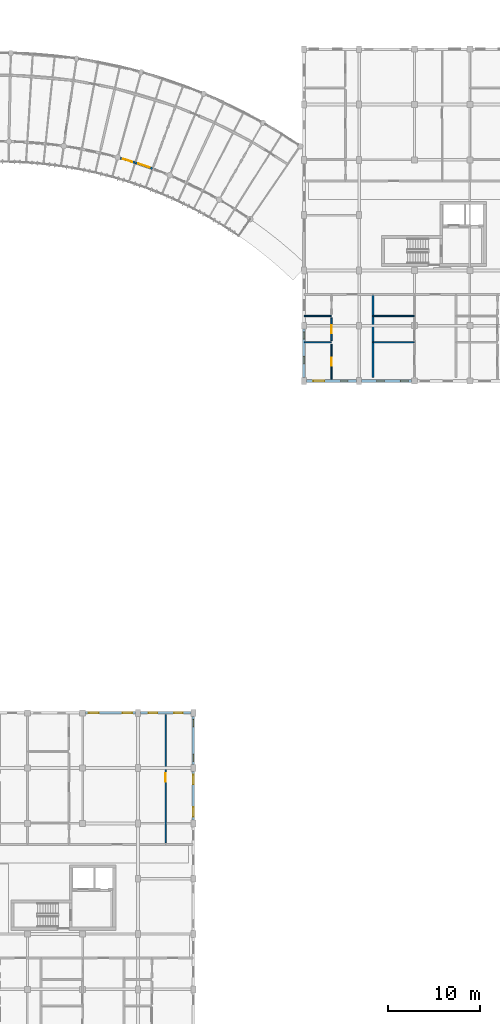
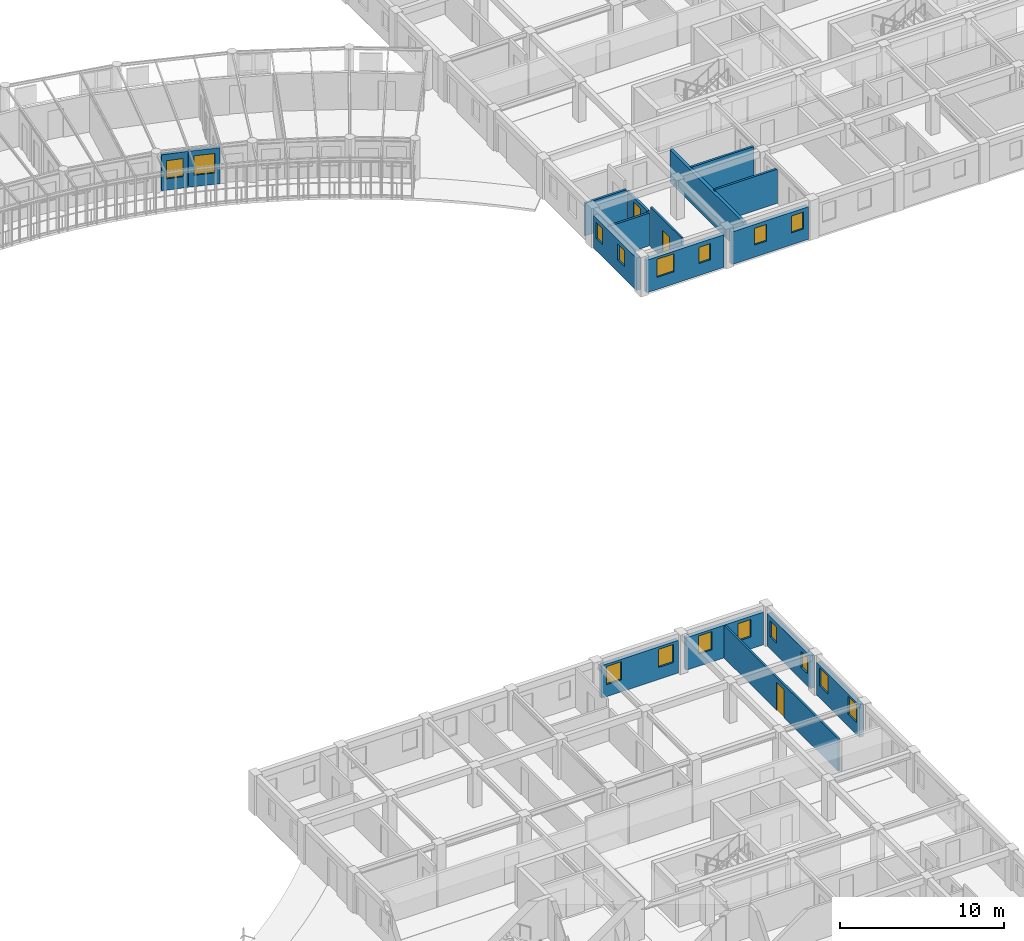
# One storey, part 76 of 100: 17 walls, 16 windows, 3 doors, 19 openings.
"""IFC4 building model written with IfcOpenShell, lengths in metres."""

from ifc_helpers import new_model, si_unit, direction, frame, frame_2d, origin, place, context, subcontext, project, spatial, rectangle, extrude, material, layer, layer_set, type_object, element, fill, save


model = new_model("IFC4")

# Units and contexts
model_context = context("Model", 3, precision=1e-05, world=origin(), true_north=direction((0.0, 1.0)))
body_context = subcontext(model_context, "Body", "Model", "MODEL_VIEW")
ifc_project = project(units=[si_unit("LENGTHUNIT", "METRE"), si_unit("AREAUNIT", "SQUARE_METRE"), si_unit("VOLUMEUNIT", "CUBIC_METRE"), si_unit("PLANEANGLEUNIT", "RADIAN"), si_unit("MASSUNIT", "GRAM", prefix="KILO"), si_unit("POWERUNIT", "WATT"), si_unit("THERMODYNAMICTEMPERATUREUNIT", "KELVIN")], contexts=[model_context])

# Site, building, storey
site_placement = place(None, origin())
site = spatial("IfcSite", under=ifc_project, at=site_placement, CompositionType="ELEMENT")
building_placement = place(site_placement, origin())
building = spatial("IfcBuilding", under=site, at=building_placement, Name="Ruvembo Vaulted Housing Court", CompositionType="ELEMENT")
storey_placement = place(building_placement, frame((0.0, 0.0, 14.10009765625)))
storey = spatial("IfcBuildingStorey", under=building, at=storey_placement, Name="L04", CompositionType="ELEMENT", Elevation=14.10009765625)

# Wall
ifc_material_1 = material(Name="Acoustic Masonry Demising 220", Category="masonry")
ifc_layer_1 = layer(ifc_material_1, 0.219970703125, Name="Acoustic Masonry Demising 220")
ifc_layer_set_1 = layer_set([ifc_layer_1], Name="Acoustic Masonry Demising 220")
wall_type_1 = type_object("IfcWallType", Name="WL-DEM-200", PredefinedType="SOLIDWALL", material=ifc_layer_set_1)
wall_1_placement = place(storey_placement, frame((157.5, 72.389892578125, 0.0), z_axis=(0.0, 0.0, 1.0), x_axis=(0.0, 1.0, 0.0)))
element("IfcWall", 1, at=wall_1_placement, inside=storey, type_object=wall_type_1, Name="L04 Demising D-L04-S1 WL-INT-L04-01237", PredefinedType="SOLIDWALL", context=body_context, shape_type="SweptSolid", body=[
    extrude(rectangle(XDim=8.97021484375, YDim=0.219970703125, at=frame_2d((4.485107421875, 0.0))), origin(), (0.0, 0.0, 1.0), 2.431884765625),
])

# Wall, opening, window
ifc_material_2 = material(Name="Rendered Masonry 235", Category="masonry")
ifc_layer_2 = layer(ifc_material_2, 0.235107421875, Name="Rendered Masonry 235")
ifc_layer_set_2 = layer_set([ifc_layer_2], Name="Rendered Masonry 235")
wall_type_2 = type_object("IfcWallType", Name="WL-EXT-235", PredefinedType="STANDARD", material=ifc_layer_set_2)
wall_2_placement = place(storey_placement, frame((130.08203125, 96.177490234375, 0.0), z_axis=(0.0, 0.0, 1.0), x_axis=(0.958063008465, -0.286557623894, 0.0)))
wall_2 = element("IfcWall", 2, at=wall_2_placement, inside=storey, type_object=wall_type_2, Name="Scoop SC3 L04 Concave Balcony Wall 21", PredefinedType="STANDARD", context=body_context, shape_type="SweptSolid", body=[
    extrude(rectangle(XDim=1.67236328125, YDim=0.235107421875, at=frame_2d((0.836181640625, 0.0))), origin(), (0.0, 0.0, 1.0), 2.683837890625),
])
opening_1_placement = place(wall_2_placement, frame((0.311279296875, 0.0, 0.85009765625)))
opening_1 = element("IfcOpeningElement", 3, at=opening_1_placement, cuts=wall_2, Name="Opening W09", PredefinedType="OPENING", context=body_context, shape_type="SweptSolid", body=[
    extrude(rectangle(XDim=1.050048828125, YDim=1.35009765625, at=frame_2d((0.52490234375, 0.675048828125))), frame((0.0, 0.12744140625, 0.0), z_axis=(0.0, -1.0, 0.0), x_axis=(1.0, 0.0, 0.0)), (0.0, 0.0, 1.0), 0.255126953125),
])
ifc_material_3 = material(Name="Double Solar-Control Glazing in Aluminium Frame", Category="aluminium")
window_type_1 = type_object("IfcWindowType", Name="WIN-1050x1350", PartitioningType="SINGLE_PANEL", PredefinedType="WINDOW", material=ifc_material_3)
window_1_placement = place(opening_1_placement, origin())
window_1 = element("IfcWindow", 4, at=window_1_placement, inside=storey, type_object=window_type_1, Name="Scoop SC3 L04 Concave Window 21", OverallHeight=1.35009765625, OverallWidth=1.050048828125, PartitioningType="SINGLE_PANEL", PredefinedType="WINDOW", context=body_context, shape_type="SweptSolid", body=[
    extrude(rectangle(XDim=1.050048828125, YDim=1.35009765625, at=frame_2d((0.52490234375, 0.675048828125))), frame((0.0, 0.030029296875, 0.0), z_axis=(0.0, -1.0, 0.0), x_axis=(1.0, 0.0, 0.0)), (0.0, 0.0, 1.0), 0.06005859375),
])
fill(opening_1, window_1)

wall_3_placement = place(storey_placement, frame((131.722412109375, 95.68603515625, 0.0), z_axis=(0.0, 0.0, 1.0), x_axis=(0.945368994877, -0.326002244662, 0.0)))
wall_3 = element("IfcWall", 5, at=wall_3_placement, inside=storey, type_object=wall_type_2, Name="Scoop SC3 L04 Concave Balcony Wall 22", PredefinedType="STANDARD", context=body_context, shape_type="SweptSolid", body=[
    extrude(rectangle(XDim=1.952392578125, YDim=0.235107421875, at=frame_2d((0.97607421875, 0.0))), origin(), (0.0, 0.0, 1.0), 2.683837890625),
])
opening_2_placement = place(wall_3_placement, frame((0.326171875, 0.0, 0.85009765625)))
opening_2 = element("IfcOpeningElement", 6, at=opening_2_placement, cuts=wall_3, Name="Opening W15", PredefinedType="OPENING", context=body_context, shape_type="SweptSolid", body=[
    extrude(rectangle(XDim=1.300048828125, YDim=1.449951171875, at=frame_2d((0.64990234375, 0.72509765625))), frame((0.0, 0.12744140625, 0.0), z_axis=(0.0, -1.0, 0.0), x_axis=(1.0, 0.0, 0.0)), (0.0, 0.0, 1.0), 0.255126953125),
])
window_type_2 = type_object("IfcWindowType", Name="WIN-1300x1450", PartitioningType="SINGLE_PANEL", PredefinedType="WINDOW", material=ifc_material_3)
window_2_placement = place(opening_2_placement, origin())
window_2 = element("IfcWindow", 7, at=window_2_placement, inside=storey, type_object=window_type_2, Name="Scoop SC3 L04 Concave Window 22", OverallHeight=1.449951171875, OverallWidth=1.300048828125, PartitioningType="SINGLE_PANEL", PredefinedType="WINDOW", context=body_context, shape_type="SweptSolid", body=[
    extrude(rectangle(XDim=1.300048828125, YDim=1.449951171875, at=frame_2d((0.64990234375, 0.72509765625))), frame((0.0, 0.030029296875, 0.0), z_axis=(0.0, -1.0, 0.0), x_axis=(1.0, 0.0, 0.0)), (0.0, 0.0, 1.0), 0.06005859375),
])
fill(opening_2, window_2)

# Wall, openings, windows
ifc_material_4 = material(Name="Rendered Masonry 285", Category="masonry")
ifc_layer_3 = layer(ifc_material_4, 0.284912109375, Name="Rendered Masonry 285")
ifc_layer_set_3 = layer_set([ifc_layer_3], Name="Rendered Masonry 285")
wall_type_3 = type_object("IfcWallType", Name="WL-EXT-285", PredefinedType="STANDARD", material=ifc_layer_set_3)
wall_4_placement = place(storey_placement, frame((138.0, 24.375, 0.0), z_axis=(0.0, 0.0, 1.0), x_axis=(0.0, 1.0, 0.0)))
wall_4 = element("IfcWall", 8, at=wall_4_placement, inside=storey, type_object=wall_type_3, Name="Block C L04 Exterior Wall EAST #5", PredefinedType="STANDARD", context=body_context, shape_type="SweptSolid", body=[
    extrude(rectangle(XDim=5.25, YDim=0.284912109375, at=frame_2d((2.625, 0.0))), origin(), (0.0, 0.0, 1.0), 2.431884765625),
])
opening_3_placement = place(wall_4_placement, frame((0.35009765625, 0.0, 0.89990234375)))
opening_3 = element("IfcOpeningElement", 9, at=opening_3_placement, cuts=wall_4, Name="Opening W09", PredefinedType="OPENING", context=body_context, shape_type="SweptSolid", body=[
    extrude(rectangle(XDim=1.050048828125, YDim=1.35009765625, at=frame_2d((0.52490234375, 0.675048828125))), frame((0.0, 0.15234375, 0.0), z_axis=(0.0, -1.0, 0.0), x_axis=(1.0, 0.0, 0.0)), (0.0, 0.0, 1.0), 0.304931640625),
])
opening_4_placement = place(wall_4_placement, frame((3.85009765625, 0.0, 0.89990234375)))
opening_4 = element("IfcOpeningElement", 10, at=opening_4_placement, cuts=wall_4, Name="Opening W09", PredefinedType="OPENING", context=body_context, shape_type="SweptSolid", body=[
    extrude(rectangle(XDim=1.050048828125, YDim=1.35009765625, at=frame_2d((0.52490234375, 0.675048828125))), frame((0.0, 0.15234375, 0.0), z_axis=(0.0, -1.0, 0.0), x_axis=(1.0, 0.0, 0.0)), (0.0, 0.0, 1.0), 0.304931640625),
])
window_3_placement = place(opening_3_placement, origin())
window_3 = element("IfcWindow", 11, at=window_3_placement, inside=storey, type_object=window_type_1, Name="Block C L04 Window #1258", OverallHeight=1.35009765625, OverallWidth=1.050048828125, PartitioningType="SINGLE_PANEL", PredefinedType="WINDOW", context=body_context, shape_type="SweptSolid", body=[
    extrude(rectangle(XDim=1.050048828125, YDim=1.35009765625, at=frame_2d((0.52490234375, 0.675048828125))), frame((0.0, 0.030029296875, 0.0), z_axis=(0.0, -1.0, 0.0), x_axis=(1.0, 0.0, 0.0)), (0.0, 0.0, 1.0), 0.06005859375),
])
fill(opening_3, window_3)
window_4_placement = place(opening_4_placement, origin())
window_4 = element("IfcWindow", 12, at=window_4_placement, inside=storey, type_object=window_type_1, Name="Block C L04 Window #1259", OverallHeight=1.35009765625, OverallWidth=1.050048828125, PartitioningType="SINGLE_PANEL", PredefinedType="WINDOW", context=body_context, shape_type="SweptSolid", body=[
    extrude(rectangle(XDim=1.050048828125, YDim=1.35009765625, at=frame_2d((0.52490234375, 0.675048828125))), frame((0.0, 0.030029296875, 0.0), z_axis=(0.0, -1.0, 0.0), x_axis=(1.0, 0.0, 0.0)), (0.0, 0.0, 1.0), 0.06005859375),
])
fill(opening_4, window_4)

wall_5_placement = place(storey_placement, frame((138.0, 30.375, 0.0), z_axis=(0.0, 0.0, 1.0), x_axis=(0.0, 1.0, 0.0)))
wall_5 = element("IfcWall", 13, at=wall_5_placement, inside=storey, type_object=wall_type_3, Name="Block C L04 Exterior Wall EAST #6", PredefinedType="STANDARD", context=body_context, shape_type="SweptSolid", body=[
    extrude(rectangle(XDim=5.25, YDim=0.284912109375, at=frame_2d((2.625, 0.0))), origin(), (0.0, 0.0, 1.0), 2.431884765625),
])
opening_5_placement = place(wall_5_placement, frame((0.35009765625, 0.0, 0.89990234375)))
opening_5 = element("IfcOpeningElement", 14, at=opening_5_placement, cuts=wall_5, Name="Opening W02", PredefinedType="OPENING", context=body_context, shape_type="SweptSolid", body=[
    extrude(rectangle(XDim=0.800048828125, YDim=1.199951171875, at=frame_2d((0.39990234375, 0.60009765625))), frame((0.0, 0.15234375, 0.0), z_axis=(0.0, -1.0, 0.0), x_axis=(1.0, 0.0, 0.0)), (0.0, 0.0, 1.0), 0.304931640625),
])
opening_6_placement = place(wall_5_placement, frame((4.10009765625, 0.0, 0.89990234375)))
opening_6 = element("IfcOpeningElement", 15, at=opening_6_placement, cuts=wall_5, Name="Opening W02", PredefinedType="OPENING", context=body_context, shape_type="SweptSolid", body=[
    extrude(rectangle(XDim=0.800048828125, YDim=1.199951171875, at=frame_2d((0.39990234375, 0.60009765625))), frame((0.0, 0.15234375, 0.0), z_axis=(0.0, -1.0, 0.0), x_axis=(1.0, 0.0, 0.0)), (0.0, 0.0, 1.0), 0.304931640625),
])
window_type_3 = type_object("IfcWindowType", Name="WIN-0800x1200", PartitioningType="SINGLE_PANEL", PredefinedType="WINDOW", material=ifc_material_3)
window_5_placement = place(opening_5_placement, origin())
window_5 = element("IfcWindow", 16, at=window_5_placement, inside=storey, type_object=window_type_3, Name="Block C L04 Window #1260", OverallHeight=1.199951171875, OverallWidth=0.800048828125, PartitioningType="SINGLE_PANEL", PredefinedType="WINDOW", context=body_context, shape_type="SweptSolid", body=[
    extrude(rectangle(XDim=0.800048828125, YDim=1.199951171875, at=frame_2d((0.39990234375, 0.60009765625))), frame((0.0, 0.030029296875, 0.0), z_axis=(0.0, -1.0, 0.0), x_axis=(1.0, 0.0, 0.0)), (0.0, 0.0, 1.0), 0.06005859375),
])
fill(opening_5, window_5)
window_6_placement = place(opening_6_placement, origin())
window_6 = element("IfcWindow", 17, at=window_6_placement, inside=storey, type_object=window_type_3, Name="Block C L04 Window #1261", OverallHeight=1.199951171875, OverallWidth=0.800048828125, PartitioningType="SINGLE_PANEL", PredefinedType="WINDOW", context=body_context, shape_type="SweptSolid", body=[
    extrude(rectangle(XDim=0.800048828125, YDim=1.199951171875, at=frame_2d((0.39990234375, 0.60009765625))), frame((0.0, 0.030029296875, 0.0), z_axis=(0.0, -1.0, 0.0), x_axis=(1.0, 0.0, 0.0)), (0.0, 0.0, 1.0), 0.06005859375),
])
fill(opening_6, window_6)

wall_6_placement = place(storey_placement, frame((137.72509765625, 36.0, 0.0), z_axis=(0.0, 0.0, 1.0), x_axis=(-1.0, 0.0, 0.0)))
wall_6 = element("IfcWall", 18, at=wall_6_placement, inside=storey, type_object=wall_type_3, Name="Block C L04 Exterior Wall COURTYARD #1", PredefinedType="STANDARD", context=body_context, shape_type="SweptSolid", body=[
    extrude(rectangle(XDim=5.4501953125, YDim=0.284912109375, at=frame_2d((2.72509765625, 0.0))), origin(), (0.0, 0.0, 1.0), 2.431884765625),
])
opening_7_placement = place(wall_6_placement, frame((0.892578125, 0.0, 0.89990234375)))
opening_7 = element("IfcOpeningElement", 19, at=opening_7_placement, cuts=wall_6, Name="Opening W04", PredefinedType="OPENING", context=body_context, shape_type="SweptSolid", body=[
    extrude(rectangle(XDim=0.89990234375, YDim=1.300048828125, at=frame_2d((0.449951171875, 0.64990234375))), frame((0.0, 0.15234375, 0.0), z_axis=(0.0, -1.0, 0.0), x_axis=(1.0, 0.0, 0.0)), (0.0, 0.0, 1.0), 0.304931640625),
])
opening_8_placement = place(wall_6_placement, frame((3.632568359375, 0.0, 0.89990234375)))
opening_8 = element("IfcOpeningElement", 20, at=opening_8_placement, cuts=wall_6, Name="Opening W07", PredefinedType="OPENING", context=body_context, shape_type="SweptSolid", body=[
    extrude(rectangle(XDim=0.949951171875, YDim=1.35009765625, at=frame_2d((0.47509765625, 0.675048828125))), frame((0.0, 0.15234375, 0.0), z_axis=(0.0, -1.0, 0.0), x_axis=(1.0, 0.0, 0.0)), (0.0, 0.0, 1.0), 0.304931640625),
])
window_type_4 = type_object("IfcWindowType", Name="WIN-0900x1300", PartitioningType="SINGLE_PANEL", PredefinedType="WINDOW", material=ifc_material_3)
window_7_placement = place(opening_7_placement, origin())
window_7 = element("IfcWindow", 21, at=window_7_placement, inside=storey, type_object=window_type_4, Name="Block C L04 Window #1262", OverallHeight=1.300048828125, OverallWidth=0.89990234375, PartitioningType="SINGLE_PANEL", PredefinedType="WINDOW", context=body_context, shape_type="SweptSolid", body=[
    extrude(rectangle(XDim=0.89990234375, YDim=1.300048828125, at=frame_2d((0.449951171875, 0.64990234375))), frame((0.0, 0.030029296875, 0.0), z_axis=(0.0, -1.0, 0.0), x_axis=(1.0, 0.0, 0.0)), (0.0, 0.0, 1.0), 0.06005859375),
])
fill(opening_7, window_7)
window_type_5 = type_object("IfcWindowType", Name="WIN-0950x1350", PartitioningType="SINGLE_PANEL", PredefinedType="WINDOW", material=ifc_material_3)
window_8_placement = place(opening_8_placement, origin())
window_8 = element("IfcWindow", 22, at=window_8_placement, inside=storey, type_object=window_type_5, Name="Block C L04 Window #1263", OverallHeight=1.35009765625, OverallWidth=0.949951171875, PartitioningType="SINGLE_PANEL", PredefinedType="WINDOW", context=body_context, shape_type="SweptSolid", body=[
    extrude(rectangle(XDim=0.949951171875, YDim=1.35009765625, at=frame_2d((0.47509765625, 0.675048828125))), frame((0.0, 0.030029296875, 0.0), z_axis=(0.0, -1.0, 0.0), x_axis=(1.0, 0.0, 0.0)), (0.0, 0.0, 1.0), 0.06005859375),
])
fill(opening_8, window_8)

wall_7_placement = place(storey_placement, frame((131.72509765625, 36.0, 0.0), z_axis=(0.0, 0.0, 1.0), x_axis=(-1.0, 0.0, 0.0)))
wall_7 = element("IfcWall", 23, at=wall_7_placement, inside=storey, type_object=wall_type_3, Name="Block C L04 Exterior Wall COURTYARD #2", PredefinedType="STANDARD", context=body_context, shape_type="SweptSolid", body=[
    extrude(rectangle(XDim=5.400146484375, YDim=0.284912109375, at=frame_2d((2.7001953125, 0.0))), origin(), (0.0, 0.0, 1.0), 2.431884765625),
])
opening_9_placement = place(wall_7_placement, frame((0.35009765625, 0.0, 0.89990234375)))
opening_9 = element("IfcOpeningElement", 24, at=opening_9_placement, cuts=wall_7, Name="Opening W09", PredefinedType="OPENING", context=body_context, shape_type="SweptSolid", body=[
    extrude(rectangle(XDim=1.050048828125, YDim=1.35009765625, at=frame_2d((0.52490234375, 0.675048828125))), frame((0.0, 0.15234375, 0.0), z_axis=(0.0, -1.0, 0.0), x_axis=(1.0, 0.0, 0.0)), (0.0, 0.0, 1.0), 0.304931640625),
])
opening_10_placement = place(wall_7_placement, frame((4.0, 0.0, 0.89990234375)))
opening_10 = element("IfcOpeningElement", 25, at=opening_10_placement, cuts=wall_7, Name="Opening W09", PredefinedType="OPENING", context=body_context, shape_type="SweptSolid", body=[
    extrude(rectangle(XDim=1.050048828125, YDim=1.35009765625, at=frame_2d((0.52490234375, 0.675048828125))), frame((0.0, 0.15234375, 0.0), z_axis=(0.0, -1.0, 0.0), x_axis=(1.0, 0.0, 0.0)), (0.0, 0.0, 1.0), 0.304931640625),
])
window_9_placement = place(opening_9_placement, origin())
window_9 = element("IfcWindow", 26, at=window_9_placement, inside=storey, type_object=window_type_1, Name="Block C L04 Window #1264", OverallHeight=1.35009765625, OverallWidth=1.050048828125, PartitioningType="SINGLE_PANEL", PredefinedType="WINDOW", context=body_context, shape_type="SweptSolid", body=[
    extrude(rectangle(XDim=1.050048828125, YDim=1.35009765625, at=frame_2d((0.52490234375, 0.675048828125))), frame((0.0, 0.030029296875, 0.0), z_axis=(0.0, -1.0, 0.0), x_axis=(1.0, 0.0, 0.0)), (0.0, 0.0, 1.0), 0.06005859375),
])
fill(opening_9, window_9)
window_10_placement = place(opening_10_placement, origin())
window_10 = element("IfcWindow", 27, at=window_10_placement, inside=storey, type_object=window_type_1, Name="Block C L04 Window #1265", OverallHeight=1.35009765625, OverallWidth=1.050048828125, PartitioningType="SINGLE_PANEL", PredefinedType="WINDOW", context=body_context, shape_type="SweptSolid", body=[
    extrude(rectangle(XDim=1.050048828125, YDim=1.35009765625, at=frame_2d((0.52490234375, 0.675048828125))), frame((0.0, 0.030029296875, 0.0), z_axis=(0.0, -1.0, 0.0), x_axis=(1.0, 0.0, 0.0)), (0.0, 0.0, 1.0), 0.06005859375),
])
fill(opening_10, window_10)

wall_8_placement = place(storey_placement, frame((150.27490234375, 72.0, 0.0), z_axis=(0.0, 0.0, 1.0), x_axis=(1.0, 0.0, 0.0)))
wall_8 = element("IfcWall", 28, at=wall_8_placement, inside=storey, type_object=wall_type_3, Name="Block D L04 Exterior Wall COURTYARD #1", PredefinedType="STANDARD", context=body_context, shape_type="SweptSolid", body=[
    extrude(rectangle(XDim=5.4501953125, YDim=0.284912109375, at=frame_2d((2.72509765625, 0.0))), origin(), (0.0, 0.0, 1.0), 2.431884765625),
])
opening_11_placement = place(wall_8_placement, frame((0.742431640625, 0.0, 0.89990234375)))
opening_11 = element("IfcOpeningElement", 29, at=opening_11_placement, cuts=wall_8, Name="Opening W12", PredefinedType="OPENING", context=body_context, shape_type="SweptSolid", body=[
    extrude(rectangle(XDim=1.199951171875, YDim=1.35009765625, at=frame_2d((0.60009765625, 0.675048828125))), frame((0.0, 0.15234375, 0.0), z_axis=(0.0, -1.0, 0.0), x_axis=(1.0, 0.0, 0.0)), (0.0, 0.0, 1.0), 0.304931640625),
])
opening_12_placement = place(wall_8_placement, frame((3.70751953125, 0.0, 0.89990234375)))
opening_12 = element("IfcOpeningElement", 30, at=opening_12_placement, cuts=wall_8, Name="Opening W02", PredefinedType="OPENING", context=body_context, shape_type="SweptSolid", body=[
    extrude(rectangle(XDim=0.800048828125, YDim=1.199951171875, at=frame_2d((0.39990234375, 0.60009765625))), frame((0.0, 0.15234375, 0.0), z_axis=(0.0, -1.0, 0.0), x_axis=(1.0, 0.0, 0.0)), (0.0, 0.0, 1.0), 0.304931640625),
])
window_11_placement = place(opening_12_placement, origin())
window_11 = element("IfcWindow", 31, at=window_11_placement, inside=storey, type_object=window_type_3, Name="Block D L04 Window #1620", OverallHeight=1.199951171875, OverallWidth=0.800048828125, PartitioningType="SINGLE_PANEL", PredefinedType="WINDOW", context=body_context, shape_type="SweptSolid", body=[
    extrude(rectangle(XDim=0.800048828125, YDim=1.199951171875, at=frame_2d((0.39990234375, 0.60009765625))), frame((0.0, 0.030029296875, 0.0), z_axis=(0.0, -1.0, 0.0), x_axis=(1.0, 0.0, 0.0)), (0.0, 0.0, 1.0), 0.06005859375),
])
fill(opening_12, window_11)
window_type_6 = type_object("IfcWindowType", Name="WIN-1200x1350", PartitioningType="SINGLE_PANEL", PredefinedType="WINDOW", material=ifc_material_3)
window_12_placement = place(opening_11_placement, origin())
window_12 = element("IfcWindow", 32, at=window_12_placement, inside=storey, type_object=window_type_6, Name="Block D L04 Window #1619", OverallHeight=1.35009765625, OverallWidth=1.199951171875, PartitioningType="SINGLE_PANEL", PredefinedType="WINDOW", context=body_context, shape_type="SweptSolid", body=[
    extrude(rectangle(XDim=1.199951171875, YDim=1.35009765625, at=frame_2d((0.60009765625, 0.675048828125))), frame((0.0, 0.030029296875, 0.0), z_axis=(0.0, -1.0, 0.0), x_axis=(1.0, 0.0, 0.0)), (0.0, 0.0, 1.0), 0.06005859375),
])
fill(opening_11, window_12)

wall_9_placement = place(storey_placement, frame((156.27490234375, 72.0, 0.0), z_axis=(0.0, 0.0, 1.0), x_axis=(1.0, 0.0, 0.0)))
wall_9 = element("IfcWall", 33, at=wall_9_placement, inside=storey, type_object=wall_type_3, Name="Block D L04 Exterior Wall COURTYARD #2", PredefinedType="STANDARD", context=body_context, shape_type="SweptSolid", body=[
    extrude(rectangle(XDim=5.400146484375, YDim=0.284912109375, at=frame_2d((2.7001953125, 0.0))), origin(), (0.0, 0.0, 1.0), 2.431884765625),
])
opening_13_placement = place(wall_9_placement, frame((1.614990234375, 0.0, 0.89990234375)))
opening_13 = element("IfcOpeningElement", 34, at=opening_13_placement, cuts=wall_9, Name="Opening W03", PredefinedType="OPENING", context=body_context, shape_type="SweptSolid", body=[
    extrude(rectangle(XDim=0.85009765625, YDim=1.25, at=frame_2d((0.425048828125, 0.625))), frame((0.0, 0.15234375, 0.0), z_axis=(0.0, -1.0, 0.0), x_axis=(1.0, 0.0, 0.0)), (0.0, 0.0, 1.0), 0.304931640625),
])
opening_14_placement = place(wall_9_placement, frame((4.199951171875, 0.0, 0.89990234375)))
opening_14 = element("IfcOpeningElement", 35, at=opening_14_placement, cuts=wall_9, Name="Opening W03", PredefinedType="OPENING", context=body_context, shape_type="SweptSolid", body=[
    extrude(rectangle(XDim=0.85009765625, YDim=1.25, at=frame_2d((0.425048828125, 0.625))), frame((0.0, 0.15234375, 0.0), z_axis=(0.0, -1.0, 0.0), x_axis=(1.0, 0.0, 0.0)), (0.0, 0.0, 1.0), 0.304931640625),
])
window_type_7 = type_object("IfcWindowType", Name="WIN-0850x1250", PartitioningType="SINGLE_PANEL", PredefinedType="WINDOW", material=ifc_material_3)
window_13_placement = place(opening_13_placement, origin())
window_13 = element("IfcWindow", 36, at=window_13_placement, inside=storey, type_object=window_type_7, Name="Block D L04 Window #1621", OverallHeight=1.25, OverallWidth=0.85009765625, PartitioningType="SINGLE_PANEL", PredefinedType="WINDOW", context=body_context, shape_type="SweptSolid", body=[
    extrude(rectangle(XDim=0.85009765625, YDim=1.25, at=frame_2d((0.425048828125, 0.625))), frame((0.0, 0.030029296875, 0.0), z_axis=(0.0, -1.0, 0.0), x_axis=(1.0, 0.0, 0.0)), (0.0, 0.0, 1.0), 0.06005859375),
])
fill(opening_13, window_13)
window_14_placement = place(opening_14_placement, origin())
window_14 = element("IfcWindow", 37, at=window_14_placement, inside=storey, type_object=window_type_7, Name="Block D L04 Window #1622", OverallHeight=1.25, OverallWidth=0.85009765625, PartitioningType="SINGLE_PANEL", PredefinedType="WINDOW", context=body_context, shape_type="SweptSolid", body=[
    extrude(rectangle(XDim=0.85009765625, YDim=1.25, at=frame_2d((0.425048828125, 0.625))), frame((0.0, 0.030029296875, 0.0), z_axis=(0.0, -1.0, 0.0), x_axis=(1.0, 0.0, 0.0)), (0.0, 0.0, 1.0), 0.06005859375),
])
fill(opening_14, window_14)

wall_10_placement = place(storey_placement, frame((150.0, 77.625, 0.0), z_axis=(0.0, 0.0, 1.0), x_axis=(0.0, -1.0, 0.0)))
wall_10 = element("IfcWall", 38, at=wall_10_placement, inside=storey, type_object=wall_type_3, Name="Block D L04 Exterior Wall WEST #6", PredefinedType="STANDARD", context=body_context, shape_type="SweptSolid", body=[
    extrude(rectangle(XDim=5.25, YDim=0.284912109375, at=frame_2d((2.625, 0.0))), origin(), (0.0, 0.0, 1.0), 2.431884765625),
])
opening_15_placement = place(wall_10_placement, frame((0.29248046875, 0.0, 0.89990234375)))
opening_15 = element("IfcOpeningElement", 39, at=opening_15_placement, cuts=wall_10, Name="Opening W02", PredefinedType="OPENING", context=body_context, shape_type="SweptSolid", body=[
    extrude(rectangle(XDim=0.800048828125, YDim=1.199951171875, at=frame_2d((0.39990234375, 0.60009765625))), frame((0.0, 0.15234375, 0.0), z_axis=(0.0, -1.0, 0.0), x_axis=(1.0, 0.0, 0.0)), (0.0, 0.0, 1.0), 0.304931640625),
])
opening_16_placement = place(wall_10_placement, frame((2.95751953125, 0.0, 0.89990234375)))
opening_16 = element("IfcOpeningElement", 40, at=opening_16_placement, cuts=wall_10, Name="Opening W02", PredefinedType="OPENING", context=body_context, shape_type="SweptSolid", body=[
    extrude(rectangle(XDim=0.800048828125, YDim=1.199951171875, at=frame_2d((0.39990234375, 0.60009765625))), frame((0.0, 0.15234375, 0.0), z_axis=(0.0, -1.0, 0.0), x_axis=(1.0, 0.0, 0.0)), (0.0, 0.0, 1.0), 0.304931640625),
])
window_15_placement = place(opening_15_placement, origin())
window_15 = element("IfcWindow", 41, at=window_15_placement, inside=storey, type_object=window_type_3, Name="Block D L04 Window #1661", OverallHeight=1.199951171875, OverallWidth=0.800048828125, PartitioningType="SINGLE_PANEL", PredefinedType="WINDOW", context=body_context, shape_type="SweptSolid", body=[
    extrude(rectangle(XDim=0.800048828125, YDim=1.199951171875, at=frame_2d((0.39990234375, 0.60009765625))), frame((0.0, 0.030029296875, 0.0), z_axis=(0.0, -1.0, 0.0), x_axis=(1.0, 0.0, 0.0)), (0.0, 0.0, 1.0), 0.06005859375),
])
fill(opening_15, window_15)
window_16_placement = place(opening_16_placement, origin())
window_16 = element("IfcWindow", 42, at=window_16_placement, inside=storey, type_object=window_type_3, Name="Block D L04 Window #1662", OverallHeight=1.199951171875, OverallWidth=0.800048828125, PartitioningType="SINGLE_PANEL", PredefinedType="WINDOW", context=body_context, shape_type="SweptSolid", body=[
    extrude(rectangle(XDim=0.800048828125, YDim=1.199951171875, at=frame_2d((0.39990234375, 0.60009765625))), frame((0.0, 0.030029296875, 0.0), z_axis=(0.0, -1.0, 0.0), x_axis=(1.0, 0.0, 0.0)), (0.0, 0.0, 1.0), 0.06005859375),
])
fill(opening_16, window_16)

# Wall, opening, door
ifc_material_5 = material(Name="Plasterboard Stud Partition 125", Category="gypsum")
ifc_layer_4 = layer(ifc_material_5, 0.125, Name="Plasterboard Stud Partition 125")
ifc_layer_set_4 = layer_set([ifc_layer_4], Name="Plasterboard Stud Partition 125")
wall_type_4 = type_object("IfcWallType", Name="WL-PART-125", PredefinedType="PARTITIONING", material=ifc_layer_set_4)
wall_11_placement = place(storey_placement, frame((153.0, 72.18994140625, 0.0), z_axis=(0.0, 0.0, 1.0), x_axis=(0.0, 1.0, 0.0)))
wall_11 = element("IfcWall", 43, at=wall_11_placement, inside=storey, type_object=wall_type_4, Name="L04 Flat D-L04-S1 Bedroom 1 WL-INT-L04-01240", PredefinedType="PARTITIONING", context=body_context, shape_type="SweptSolid", body=[
    extrude(rectangle(XDim=3.820068359375, YDim=0.125, at=frame_2d((1.91015625, 0.0))), origin(), (0.0, 0.0, 1.0), 2.949951171875),
])
opening_17_placement = place(wall_11_placement, frame((1.469970703125, 0.0, 0.0)))
opening_17 = element("IfcOpeningElement", 44, at=opening_17_placement, cuts=wall_11, Name="Opening ID3", PredefinedType="OPENING", context=body_context, shape_type="SweptSolid", body=[
    extrude(rectangle(XDim=0.8798828125, YDim=2.10009765625, at=frame_2d((0.43994140625, 1.050048828125))), frame((0.0, 0.072509765625, 0.0), z_axis=(0.0, -1.0, 0.0), x_axis=(1.0, 0.0, 0.0)), (0.0, 0.0, 1.0), 0.14501953125),
])
ifc_material_6 = material(Name="FSC Hardwood and Engineered Timber", Category="wood")
door_type_1 = type_object("IfcDoorType", Name="DR-ROOM-0880x2100", OperationType="NOTDEFINED", PredefinedType="DOOR", material=ifc_material_6)
door_1_placement = place(opening_17_placement, origin())
door_1 = element("IfcDoor", 45, at=door_1_placement, inside=storey, type_object=door_type_1, Name="L04 Flat D-L04-S1 Bedroom 1 Door DR-INT-L04-00691", OperationType="SINGLE_SWING_LEFT", OverallHeight=2.10009765625, OverallWidth=0.8798828125, PredefinedType="DOOR", context=body_context, shape_type="SweptSolid", body=[
    extrude(rectangle(XDim=0.8798828125, YDim=2.10009765625, at=frame_2d((0.43994140625, 1.050048828125))), frame((0.0, 0.02490234375, 0.0), z_axis=(0.0, -1.0, 0.0), x_axis=(1.0, 0.0, 0.0)), (0.0, 0.0, 1.0), 0.050048828125),
])
fill(opening_17, door_1)

ifc_material_7 = material(Name="Acoustic Stud Partition 135", Category="gypsum")
ifc_layer_5 = layer(ifc_material_7, 0.135009765625, Name="Acoustic Stud Partition 135")
ifc_layer_set_5 = layer_set([ifc_layer_5], Name="Acoustic Stud Partition 135")
wall_type_5 = type_object("IfcWallType", Name="WL-PART-135", PredefinedType="PARTITIONING", material=ifc_layer_set_5)
wall_12_placement = place(storey_placement, frame((135.0, 21.889892578125, 0.0), z_axis=(0.0, 0.0, 1.0), x_axis=(0.0, 1.0, 0.0)))
wall_12 = element("IfcWall", 46, at=wall_12_placement, inside=storey, type_object=wall_type_5, Name="L04 Flat C-L04-N2 Bedroom 2 WL-INT-L04-01236", PredefinedType="PARTITIONING", context=body_context, shape_type="SweptSolid", body=[
    extrude(rectangle(XDim=13.920166015625, YDim=0.135009765625, at=frame_2d((6.9599609375, 0.0))), origin(), (0.0, 0.0, 1.0), 2.431884765625),
])
opening_18_placement = place(wall_12_placement, frame((6.64990234375, 0.0, 0.0)))
opening_18 = element("IfcOpeningElement", 47, at=opening_18_placement, cuts=wall_12, Name="Opening ID3", PredefinedType="OPENING", context=body_context, shape_type="SweptSolid", body=[
    extrude(rectangle(XDim=0.8798828125, YDim=2.10009765625, at=frame_2d((0.43994140625, 1.050048828125))), frame((0.0, 0.077392578125, 0.0), z_axis=(0.0, -1.0, 0.0), x_axis=(1.0, 0.0, 0.0)), (0.0, 0.0, 1.0), 0.155029296875),
])
door_2_placement = place(opening_18_placement, origin())
door_2 = element("IfcDoor", 48, at=door_2_placement, inside=storey, type_object=door_type_1, Name="L04 Flat C-L04-N2 Bedroom 2 Door DR-INT-L04-00689", OperationType="SINGLE_SWING_LEFT", OverallHeight=2.10009765625, OverallWidth=0.8798828125, PredefinedType="DOOR", context=body_context, shape_type="SweptSolid", body=[
    extrude(rectangle(XDim=0.8798828125, YDim=2.10009765625, at=frame_2d((0.43994140625, 1.050048828125))), frame((0.0, 0.02490234375, 0.0), z_axis=(0.0, -1.0, 0.0), x_axis=(1.0, 0.0, 0.0)), (0.0, 0.0, 1.0), 0.050048828125),
])
fill(opening_18, door_2)

# Walls
ifc_material_8 = material(Name="Moisture-Resistant Wet Partition 150", Category="gypsum")
ifc_layer_6 = layer(ifc_material_8, 0.14990234375, Name="Moisture-Resistant Wet Partition 150")
ifc_layer_set_6 = layer_set([ifc_layer_6], Name="Moisture-Resistant Wet Partition 150")
wall_type_6 = type_object("IfcWallType", Name="WL-PART-150", PredefinedType="PARTITIONING", material=ifc_layer_set_6)
for number, where, z_axis, x_axis, name in (
    (49, (150.0400390625, 76.199951171875, 0.0), (0.0, 0.0, 1.0), (1.0, 0.0, 0.0), "L04 Flat D-L04-S1 Wet Wall 1 WL-INT-L04-01243"),
    (50, (150.0400390625, 79.050048828125, 0.0), (0.0, 0.0, 1.0), (1.0, 0.0, 0.0), "L04 Flat D-L04-S1 Wet Wall 2 WL-INT-L04-01244"),
):
    element("IfcWall", number, at=place(storey_placement, frame(where, z_axis=z_axis, x_axis=x_axis)), inside=storey, type_object=wall_type_6, Name=name, PredefinedType="PARTITIONING", context=body_context, shape_type="SweptSolid", body=[
        extrude(rectangle(XDim=2.919921875, YDim=0.14990234375, at=frame_2d((1.4599609375, 0.0))), origin(), (0.0, 0.0, 1.0), 2.431884765625),
    ])
wall_13_placement = place(storey_placement, frame((157.5400390625, 76.199951171875, 0.0), z_axis=(0.0, 0.0, 1.0), x_axis=(1.0, 0.0, 0.0)))
element("IfcWall", 51, at=wall_13_placement, inside=storey, type_object=wall_type_6, Name="L04 Flat D-L04-S2 Wet Wall 1 WL-INT-L04-01251", PredefinedType="PARTITIONING", context=body_context, shape_type="SweptSolid", body=[
    extrude(rectangle(XDim=4.419921875, YDim=0.14990234375, at=frame_2d((2.2099609375, 0.0))), origin(), (0.0, 0.0, 1.0), 2.5478515625),
])
wall_14_placement = place(storey_placement, frame((157.5400390625, 79.050048828125, 0.0), z_axis=(0.0, 0.0, 1.0), x_axis=(1.0, 0.0, 0.0)))
element("IfcWall", 52, at=wall_14_placement, inside=storey, type_object=wall_type_6, Name="L04 Flat D-L04-S2 Wet Wall 2 WL-INT-L04-01252", PredefinedType="PARTITIONING", context=body_context, shape_type="SweptSolid", body=[
    extrude(rectangle(XDim=4.419921875, YDim=0.14990234375, at=frame_2d((2.2099609375, 0.0))), origin(), (0.0, 0.0, 1.0), 2.5078125),
])

# Wall, opening, door
ifc_material_9 = material(Name="Acoustic Service Chase Wall 160", Category="gypsum")
ifc_layer_7 = layer(ifc_material_9, 0.159912109375, Name="Acoustic Service Chase Wall 160")
ifc_layer_set_7 = layer_set([ifc_layer_7], Name="Acoustic Service Chase Wall 160")
wall_type_7 = type_object("IfcWallType", Name="WL-PLUMB-160", PredefinedType="PLUMBINGWALL", material=ifc_layer_set_7)
wall_15_placement = place(storey_placement, frame((153.0, 76.389892578125, 0.0), z_axis=(0.0, 0.0, 1.0), x_axis=(0.0, 1.0, 0.0)))
wall_15 = element("IfcWall", 53, at=wall_15_placement, inside=storey, type_object=wall_type_7, Name="L04 Flat D-L04-S1 Kitchen WL-INT-L04-01241", PredefinedType="PLUMBINGWALL", context=body_context, shape_type="SweptSolid", body=[
    extrude(rectangle(XDim=2.47021484375, YDim=0.159912109375, at=frame_2d((1.235107421875, 0.0))), origin(), (0.0, 0.0, 1.0), 2.431884765625),
])
opening_19_placement = place(wall_15_placement, frame((0.784912109375, 0.0, 0.0)))
opening_19 = element("IfcOpeningElement", 54, at=opening_19_placement, cuts=wall_15, Name="Opening ID1", PredefinedType="OPENING", context=body_context, shape_type="SweptSolid", body=[
    extrude(rectangle(XDim=0.89990234375, YDim=2.10009765625, at=frame_2d((0.449951171875, 1.050048828125))), frame((0.0, 0.08984375, 0.0), z_axis=(0.0, -1.0, 0.0), x_axis=(1.0, 0.0, 0.0)), (0.0, 0.0, 1.0), 0.179931640625),
])
door_type_2 = type_object("IfcDoorType", Name="DR-ROOM-0900x2100", OperationType="NOTDEFINED", PredefinedType="DOOR", material=ifc_material_6)
door_3_placement = place(opening_19_placement, origin())
door_3 = element("IfcDoor", 55, at=door_3_placement, inside=storey, type_object=door_type_2, Name="L04 Flat D-L04-S1 Kitchen Door DR-INT-L04-00692", OperationType="SINGLE_SWING_RIGHT", OverallHeight=2.10009765625, OverallWidth=0.89990234375, PredefinedType="DOOR", context=body_context, shape_type="SweptSolid", body=[
    extrude(rectangle(XDim=0.89990234375, YDim=2.10009765625, at=frame_2d((0.449951171875, 1.050048828125))), frame((0.0, 0.02490234375, 0.0), z_axis=(0.0, -1.0, 0.0), x_axis=(1.0, 0.0, 0.0)), (0.0, 0.0, 1.0), 0.050048828125),
])
fill(opening_19, door_3)

save(model, "model.ifc")
